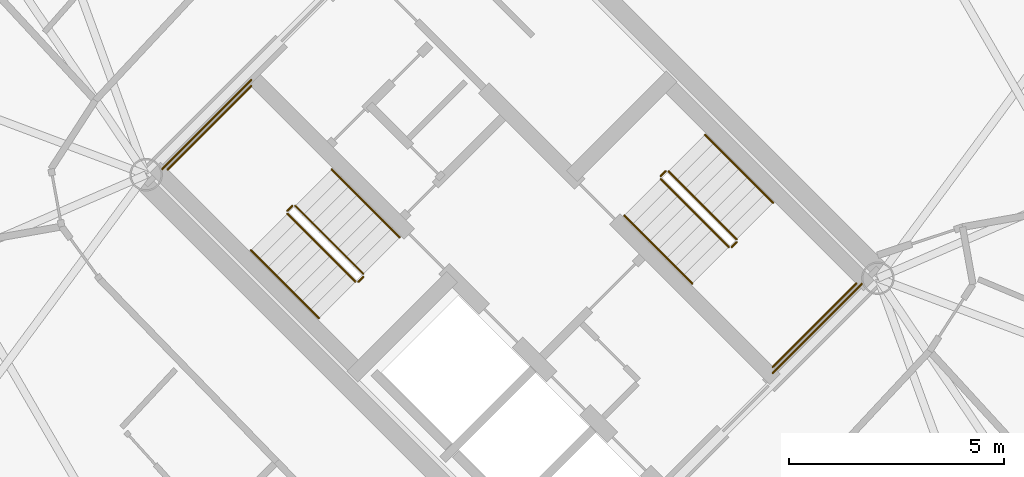
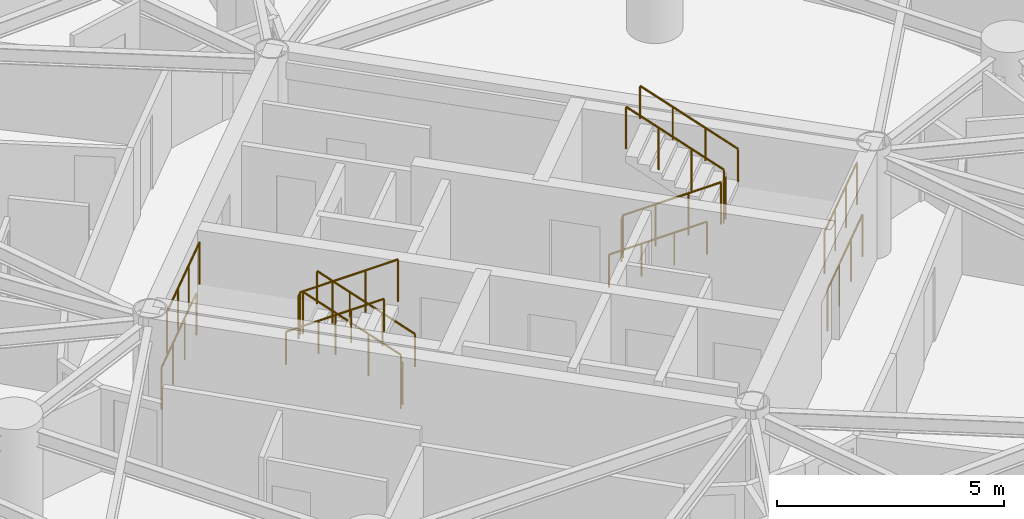
# One storey, part 16 of 17: 16 railings.
"""IFC4 building model written with IfcOpenShell, lengths in metres."""

from ifc_helpers import new_model, si_unit, direction, frame, origin, origin_2d, place, context, subcontext, project, spatial, circle, extrude, material, type_object, element, save


model = new_model("IFC4")

# Units and contexts
model_context = context("Model", 3, precision=1e-05, world=origin(), true_north=direction((0.0, 1.0)))
body_context = subcontext(model_context, "Body", "Model", "MODEL_VIEW")
ifc_project = project(units=[si_unit("LENGTHUNIT", "METRE"), si_unit("AREAUNIT", "SQUARE_METRE"), si_unit("VOLUMEUNIT", "CUBIC_METRE"), si_unit("PLANEANGLEUNIT", "RADIAN"), si_unit("MASSUNIT", "GRAM", prefix="KILO")], contexts=[model_context])

# Site, building, storey
site_placement = place(None, origin())
site = spatial("IfcSite", under=ifc_project, at=site_placement, CompositionType="ELEMENT")
building_placement = place(site_placement, origin())
building = spatial("IfcBuilding", under=site, at=building_placement, Name="Cununo Teusaquillo Station Towers", CompositionType="ELEMENT")
storey_placement = place(building_placement, frame((0.0, 0.0, 154.510009765625)))
storey = spatial("IfcBuildingStorey", under=building, at=storey_placement, Name="L48", CompositionType="ELEMENT", Elevation=154.510009765625)

# Railings
ifc_material_1 = material(Name="Steel EN 10025-2 S355J2", Category="steel")
railing_type_1 = type_object("IfcRailingType", Name="RL-INT-GUARD", PredefinedType="GUARDRAIL", material=ifc_material_1)
railing_1_placement = place(storey_placement, frame((54.03515625, 23.39697265625, 0.16162109375)))
element("IfcRailing", 1, at=railing_1_placement, inside=storey, type_object=railing_type_1, Name="L48 ST-T2-1 stair guard 1", PredefinedType="GUARDRAIL", context=body_context, shape_type="SweptSolid", body=[
    extrude(circle(Radius=0.02392578125, at=origin_2d()), frame((0.0, 0.0, 1.1259765625), z_axis=(-0.612332353853, 0.612332353853, 0.500098167213), x_axis=(-0.707106781187, -0.707106781187, 0.0)), (0.0, 0.0, 1.0), 2.58642578125),
    extrude(circle(Radius=0.02099609375, at=origin_2d()), origin(), (0.0, 0.0, 1.0), 1.101806640625),
    extrude(circle(Radius=0.02099609375, at=origin_2d()), frame((-0.52783203125, 0.52783203125, 0.43115234375)), (0.0, 0.0, 1.0), 1.101806640625),
    extrude(circle(Radius=0.02099609375, at=origin_2d()), frame((-1.055908203125, 1.055908203125, 0.8623046875)), (0.0, 0.0, 1.0), 1.101806640625),
    extrude(circle(Radius=0.02099609375, at=origin_2d()), frame((-1.583740234375, 1.583740234375, 1.29345703125)), (0.0, 0.0, 1.0), 1.101806640625),
])
railing_2_placement = place(storey_placement, frame((52.380615234375, 24.980712890625, 1.455078125)))
element("IfcRailing", 2, at=railing_2_placement, inside=storey, type_object=railing_type_1, Name="L48 ST-T2-1 stair guard 2", PredefinedType="GUARDRAIL", context=body_context, shape_type="SweptSolid", body=[
    extrude(circle(Radius=0.02392578125, at=origin_2d()), frame((0.0, 0.0, 1.1259765625), z_axis=(-0.7078691598, -0.706343579714, 0.0), x_axis=(0.706343579714, -0.7078691598, 0.0)), (0.0, 0.0, 1.0), 0.159912109375),
    extrude(circle(Radius=0.02099609375, at=origin_2d()), origin(), (0.0, 0.0, 1.0), 1.101806640625),
    extrude(circle(Radius=0.02099609375, at=origin_2d()), frame((-0.11328125, -0.113037109375, 0.0)), (0.0, 0.0, 1.0), 1.101806640625),
])
railing_3_placement = place(storey_placement, frame((51.426025390625, 27.77392578125, 1.455078125)))
element("IfcRailing", 3, at=railing_3_placement, inside=storey, type_object=railing_type_1, Name="L48 ST-T2-1 stair guard 3", PredefinedType="GUARDRAIL", context=body_context, shape_type="SweptSolid", body=[
    extrude(circle(Radius=0.02392578125, at=origin_2d()), frame((0.0, 0.0, 1.1259765625), z_axis=(-0.707106781187, -0.707106781187, 0.0), x_axis=(0.707106781187, -0.707106781187, 0.0)), (0.0, 0.0, 1.0), 2.760009765625),
    extrude(circle(Radius=0.02099609375, at=origin_2d()), origin(), (0.0, 0.0, 1.0), 1.101806640625),
    extrude(circle(Radius=0.02099609375, at=origin_2d()), frame((-0.650634765625, -0.650634765625, 0.0)), (0.0, 0.0, 1.0), 1.101806640625),
    extrude(circle(Radius=0.02099609375, at=origin_2d()), frame((-1.301025390625, -1.301025390625, 0.0)), (0.0, 0.0, 1.0), 1.101806640625),
    extrude(circle(Radius=0.02099609375, at=origin_2d()), frame((-1.95166015625, -1.95166015625, 0.0)), (0.0, 0.0, 1.0), 1.101806640625),
])
railing_4_placement = place(storey_placement, frame((52.267333984375, 24.796875, 1.61669921875)))
element("IfcRailing", 4, at=railing_4_placement, inside=storey, type_object=railing_type_1, Name="L48 ST-T2-1 stair guard 4", PredefinedType="GUARDRAIL", context=body_context, shape_type="SweptSolid", body=[
    extrude(circle(Radius=0.02392578125, at=origin_2d()), frame((0.0, 0.0, 1.1259765625), z_axis=(0.612420254088, -0.612325861324, 0.499998471934), x_axis=(0.707052281454, 0.707161276719, 0.0)), (0.0, 0.0, 1.0), 2.58642578125),
    extrude(circle(Radius=0.02099609375, at=origin_2d()), origin(), (0.0, 0.0, 1.0), 1.101806640625),
    extrude(circle(Radius=0.02099609375, at=origin_2d()), frame((0.528076171875, -0.52783203125, 0.43115234375)), (0.0, 0.0, 1.0), 1.101806640625),
    extrude(circle(Radius=0.02099609375, at=origin_2d()), frame((1.055908203125, -1.055908203125, 0.862060546875)), (0.0, 0.0, 1.0), 1.101806640625),
    extrude(circle(Radius=0.02099609375, at=origin_2d()), frame((1.583984375, -1.583740234375, 1.293212890625)), (0.0, 0.0, 1.0), 1.101806640625),
])
railing_5_placement = place(storey_placement, frame((54.03515625, 23.326171875, 0.0)))
element("IfcRailing", 5, at=railing_5_placement, inside=storey, type_object=railing_type_1, Name="L48 ST-T2-1 stair guard 5", PredefinedType="GUARDRAIL", context=body_context, shape_type="SweptSolid", body=[
    extrude(circle(Radius=0.02392578125, at=origin_2d()), frame((0.0, 0.0, 1.1259765625), z_axis=(-0.707106781187, -0.707106781187, 0.0), x_axis=(0.707106781187, -0.707106781187, 0.0)), (0.0, 0.0, 1.0), 0.159912109375),
    extrude(circle(Radius=0.02099609375, at=origin_2d()), origin(), (0.0, 0.0, 1.0), 1.101806640625),
    extrude(circle(Radius=0.02099609375, at=origin_2d()), frame((-0.113037109375, -0.113037109375, 0.0)), (0.0, 0.0, 1.0), 1.101806640625),
])
railing_6_placement = place(storey_placement, frame((51.426025390625, 27.915283203125, 0.0)))
element("IfcRailing", 6, at=railing_6_placement, inside=storey, type_object=railing_type_1, Name="L48 ST-T2-1 stair guard 6", PredefinedType="GUARDRAIL", context=body_context, shape_type="SweptSolid", body=[
    extrude(circle(Radius=0.02392578125, at=origin_2d()), frame((0.0, 0.0, 1.1259765625), z_axis=(-0.707106781187, -0.707106781187, 0.0), x_axis=(0.707106781187, -0.707106781187, 0.0)), (0.0, 0.0, 1.0), 2.9599609375),
    extrude(circle(Radius=0.02099609375, at=origin_2d()), origin(), (0.0, 0.0, 1.0), 1.101806640625),
    extrude(circle(Radius=0.02099609375, at=origin_2d()), frame((-0.69775390625, -0.69775390625, 0.0)), (0.0, 0.0, 1.0), 1.101806640625),
    extrude(circle(Radius=0.02099609375, at=origin_2d()), frame((-1.395263671875, -1.395263671875, 0.0)), (0.0, 0.0, 1.0), 1.101806640625),
    extrude(circle(Radius=0.02099609375, at=origin_2d()), frame((-2.093017578125, -2.093017578125, 0.0)), (0.0, 0.0, 1.0), 1.101806640625),
])
railing_7_placement = place(storey_placement, frame((60.96484375, 25.60302734375, 0.16162109375)))
element("IfcRailing", 7, at=railing_7_placement, inside=storey, type_object=railing_type_1, Name="L48 ST-T2-2 stair guard 1", PredefinedType="GUARDRAIL", context=body_context, shape_type="SweptSolid", body=[
    extrude(circle(Radius=0.02392578125, at=origin_2d()), frame((0.0, 0.0, 1.1259765625), z_axis=(0.612332353853, -0.612332353853, 0.500098167213), x_axis=(0.707106781187, 0.707106781187, 0.0)), (0.0, 0.0, 1.0), 2.58642578125),
    extrude(circle(Radius=0.02099609375, at=origin_2d()), origin(), (0.0, 0.0, 1.0), 1.101806640625),
    extrude(circle(Radius=0.02099609375, at=origin_2d()), frame((0.52783203125, -0.52783203125, 0.43115234375)), (0.0, 0.0, 1.0), 1.101806640625),
    extrude(circle(Radius=0.02099609375, at=origin_2d()), frame((1.055908203125, -1.055908203125, 0.8623046875)), (0.0, 0.0, 1.0), 1.101806640625),
    extrude(circle(Radius=0.02099609375, at=origin_2d()), frame((1.583740234375, -1.583740234375, 1.29345703125)), (0.0, 0.0, 1.0), 1.101806640625),
])
railing_8_placement = place(storey_placement, frame((62.619384765625, 24.019287109375, 1.455078125)))
element("IfcRailing", 8, at=railing_8_placement, inside=storey, type_object=railing_type_1, Name="L48 ST-T2-2 stair guard 2", PredefinedType="GUARDRAIL", context=body_context, shape_type="SweptSolid", body=[
    extrude(circle(Radius=0.02392578125, at=origin_2d()), frame((0.0, 0.0, 1.1259765625), z_axis=(0.7078691598, 0.706343579714, 0.0), x_axis=(-0.706343579714, 0.7078691598, 0.0)), (0.0, 0.0, 1.0), 0.159912109375),
    extrude(circle(Radius=0.02099609375, at=origin_2d()), origin(), (0.0, 0.0, 1.0), 1.101806640625),
    extrude(circle(Radius=0.02099609375, at=origin_2d()), frame((0.11328125, 0.113037109375, 0.0)), (0.0, 0.0, 1.0), 1.101806640625),
])
railing_9_placement = place(storey_placement, frame((63.573974609375, 21.22607421875, 1.455078125)))
element("IfcRailing", 9, at=railing_9_placement, inside=storey, type_object=railing_type_1, Name="L48 ST-T2-2 stair guard 3", PredefinedType="GUARDRAIL", context=body_context, shape_type="SweptSolid", body=[
    extrude(circle(Radius=0.02392578125, at=origin_2d()), frame((0.0, 0.0, 1.1259765625), z_axis=(0.707106781187, 0.707106781187, 0.0), x_axis=(-0.707106781187, 0.707106781187, 0.0)), (0.0, 0.0, 1.0), 2.760009765625),
    extrude(circle(Radius=0.02099609375, at=origin_2d()), origin(), (0.0, 0.0, 1.0), 1.101806640625),
    extrude(circle(Radius=0.02099609375, at=origin_2d()), frame((0.650634765625, 0.650634765625, 0.0)), (0.0, 0.0, 1.0), 1.101806640625),
    extrude(circle(Radius=0.02099609375, at=origin_2d()), frame((1.301025390625, 1.301025390625, 0.0)), (0.0, 0.0, 1.0), 1.101806640625),
    extrude(circle(Radius=0.02099609375, at=origin_2d()), frame((1.95166015625, 1.95166015625, 0.0)), (0.0, 0.0, 1.0), 1.101806640625),
])
railing_10_placement = place(storey_placement, frame((62.732666015625, 24.203125, 1.61669921875)))
element("IfcRailing", 10, at=railing_10_placement, inside=storey, type_object=railing_type_1, Name="L48 ST-T2-2 stair guard 4", PredefinedType="GUARDRAIL", context=body_context, shape_type="SweptSolid", body=[
    extrude(circle(Radius=0.02392578125, at=origin_2d()), frame((0.0, 0.0, 1.1259765625), z_axis=(-0.612420254088, 0.612325861324, 0.499998471934), x_axis=(-0.707052281454, -0.707161276719, 0.0)), (0.0, 0.0, 1.0), 2.58642578125),
    extrude(circle(Radius=0.02099609375, at=origin_2d()), origin(), (0.0, 0.0, 1.0), 1.101806640625),
    extrude(circle(Radius=0.02099609375, at=origin_2d()), frame((-0.528076171875, 0.52783203125, 0.43115234375)), (0.0, 0.0, 1.0), 1.101806640625),
    extrude(circle(Radius=0.02099609375, at=origin_2d()), frame((-1.055908203125, 1.055908203125, 0.862060546875)), (0.0, 0.0, 1.0), 1.101806640625),
    extrude(circle(Radius=0.02099609375, at=origin_2d()), frame((-1.583984375, 1.583740234375, 1.293212890625)), (0.0, 0.0, 1.0), 1.101806640625),
])
railing_11_placement = place(storey_placement, frame((60.96484375, 25.673828125, 0.0)))
element("IfcRailing", 11, at=railing_11_placement, inside=storey, type_object=railing_type_1, Name="L48 ST-T2-2 stair guard 5", PredefinedType="GUARDRAIL", context=body_context, shape_type="SweptSolid", body=[
    extrude(circle(Radius=0.02392578125, at=origin_2d()), frame((0.0, 0.0, 1.1259765625), z_axis=(0.707106781187, 0.707106781187, 0.0), x_axis=(-0.707106781187, 0.707106781187, 0.0)), (0.0, 0.0, 1.0), 0.159912109375),
    extrude(circle(Radius=0.02099609375, at=origin_2d()), origin(), (0.0, 0.0, 1.0), 1.101806640625),
    extrude(circle(Radius=0.02099609375, at=origin_2d()), frame((0.113037109375, 0.113037109375, 0.0)), (0.0, 0.0, 1.0), 1.101806640625),
])
railing_12_placement = place(storey_placement, frame((63.573974609375, 21.084716796875, 0.0)))
element("IfcRailing", 12, at=railing_12_placement, inside=storey, type_object=railing_type_1, Name="L48 ST-T2-2 stair guard 6", PredefinedType="GUARDRAIL", context=body_context, shape_type="SweptSolid", body=[
    extrude(circle(Radius=0.02392578125, at=origin_2d()), frame((0.0, 0.0, 1.1259765625), z_axis=(0.707106781187, 0.707106781187, 0.0), x_axis=(-0.707106781187, 0.707106781187, 0.0)), (0.0, 0.0, 1.0), 2.9599609375),
    extrude(circle(Radius=0.02099609375, at=origin_2d()), origin(), (0.0, 0.0, 1.0), 1.101806640625),
    extrude(circle(Radius=0.02099609375, at=origin_2d()), frame((0.69775390625, 0.69775390625, 0.0)), (0.0, 0.0, 1.0), 1.101806640625),
    extrude(circle(Radius=0.02099609375, at=origin_2d()), frame((1.395263671875, 1.395263671875, 0.0)), (0.0, 0.0, 1.0), 1.101806640625),
    extrude(circle(Radius=0.02099609375, at=origin_2d()), frame((2.093017578125, 2.093017578125, 0.0)), (0.0, 0.0, 1.0), 1.101806640625),
])
ifc_material_2 = material(Name="Steel EN 10025-2 S355J2", Category="steel")
railing_type_2 = type_object("IfcRailingType", Name="RL-INT-HRAIL", PredefinedType="HANDRAIL", material=ifc_material_2)
railing_13_placement = place(storey_placement, frame((54.8837890625, 24.245361328125, 0.16162109375)))
element("IfcRailing", 13, at=railing_13_placement, inside=storey, type_object=railing_type_2, Name="L48 ST-T2-1 stair handrail 1", PredefinedType="HANDRAIL", context=body_context, shape_type="SweptSolid", body=[
    extrude(circle(Radius=0.02392578125, at=origin_2d()), frame((0.0, 0.0, 0.8759765625), z_axis=(-0.612355957468, 0.612355957468, 0.500040361077), x_axis=(-0.707106781187, -0.707106781187, 0.0)), (0.0, 0.0, 1.0), 2.586669921875),
    extrude(circle(Radius=0.02099609375, at=origin_2d()), origin(), (0.0, 0.0, 1.0), 0.851806640625),
    extrude(circle(Radius=0.02099609375, at=origin_2d()), frame((-0.528076171875, 0.528076171875, 0.43115234375)), (0.0, 0.0, 1.0), 0.851806640625),
    extrude(circle(Radius=0.02099609375, at=origin_2d()), frame((-1.055908203125, 1.055908203125, 0.8623046875)), (0.0, 0.0, 1.0), 0.851806640625),
    extrude(circle(Radius=0.02099609375, at=origin_2d()), frame((-1.583984375, 1.583984375, 1.29345703125)), (0.0, 0.0, 1.0), 0.851806640625),
])
railing_14_placement = place(storey_placement, frame((51.4189453125, 23.948486328125, 1.61669921875)))
element("IfcRailing", 14, at=railing_14_placement, inside=storey, type_object=railing_type_2, Name="L48 ST-T2-1 stair handrail 2", PredefinedType="HANDRAIL", context=body_context, shape_type="SweptSolid", body=[
    extrude(circle(Radius=0.02392578125, at=origin_2d()), frame((0.0, 0.0, 0.8759765625), z_axis=(0.612384857071, -0.612384857071, 0.499969572735), x_axis=(0.707106781187, 0.707106781187, 0.0)), (0.0, 0.0, 1.0), 2.586669921875),
    extrude(circle(Radius=0.02099609375, at=origin_2d()), origin(), (0.0, 0.0, 1.0), 0.851806640625),
    extrude(circle(Radius=0.02099609375, at=origin_2d()), frame((0.528076171875, -0.528076171875, 0.43115234375)), (0.0, 0.0, 1.0), 0.851806640625),
    extrude(circle(Radius=0.02099609375, at=origin_2d()), frame((1.055908203125, -1.055908203125, 0.862060546875)), (0.0, 0.0, 1.0), 0.851806640625),
    extrude(circle(Radius=0.02099609375, at=origin_2d()), frame((1.583984375, -1.583984375, 1.293212890625)), (0.0, 0.0, 1.0), 0.851806640625),
])
railing_15_placement = place(storey_placement, frame((60.1162109375, 24.754638671875, 0.16162109375)))
element("IfcRailing", 15, at=railing_15_placement, inside=storey, type_object=railing_type_2, Name="L48 ST-T2-2 stair handrail 1", PredefinedType="HANDRAIL", context=body_context, shape_type="SweptSolid", body=[
    extrude(circle(Radius=0.02392578125, at=origin_2d()), frame((0.0, 0.0, 0.8759765625), z_axis=(0.612355957468, -0.612355957468, 0.500040361077), x_axis=(0.707106781187, 0.707106781187, 0.0)), (0.0, 0.0, 1.0), 2.586669921875),
    extrude(circle(Radius=0.02099609375, at=origin_2d()), origin(), (0.0, 0.0, 1.0), 0.851806640625),
    extrude(circle(Radius=0.02099609375, at=origin_2d()), frame((0.528076171875, -0.528076171875, 0.43115234375)), (0.0, 0.0, 1.0), 0.851806640625),
    extrude(circle(Radius=0.02099609375, at=origin_2d()), frame((1.055908203125, -1.055908203125, 0.8623046875)), (0.0, 0.0, 1.0), 0.851806640625),
    extrude(circle(Radius=0.02099609375, at=origin_2d()), frame((1.583984375, -1.583984375, 1.29345703125)), (0.0, 0.0, 1.0), 0.851806640625),
])
railing_16_placement = place(storey_placement, frame((63.5810546875, 25.051513671875, 1.61669921875)))
element("IfcRailing", 16, at=railing_16_placement, inside=storey, type_object=railing_type_2, Name="L48 ST-T2-2 stair handrail 2", PredefinedType="HANDRAIL", context=body_context, shape_type="SweptSolid", body=[
    extrude(circle(Radius=0.02392578125, at=origin_2d()), frame((0.0, 0.0, 0.8759765625), z_axis=(-0.612384857071, 0.612384857071, 0.499969572735), x_axis=(-0.707106781187, -0.707106781187, 0.0)), (0.0, 0.0, 1.0), 2.586669921875),
    extrude(circle(Radius=0.02099609375, at=origin_2d()), origin(), (0.0, 0.0, 1.0), 0.851806640625),
    extrude(circle(Radius=0.02099609375, at=origin_2d()), frame((-0.528076171875, 0.528076171875, 0.43115234375)), (0.0, 0.0, 1.0), 0.851806640625),
    extrude(circle(Radius=0.02099609375, at=origin_2d()), frame((-1.055908203125, 1.055908203125, 0.862060546875)), (0.0, 0.0, 1.0), 0.851806640625),
    extrude(circle(Radius=0.02099609375, at=origin_2d()), frame((-1.583984375, 1.583984375, 1.293212890625)), (0.0, 0.0, 1.0), 0.851806640625),
])

save(model, "model.ifc")
